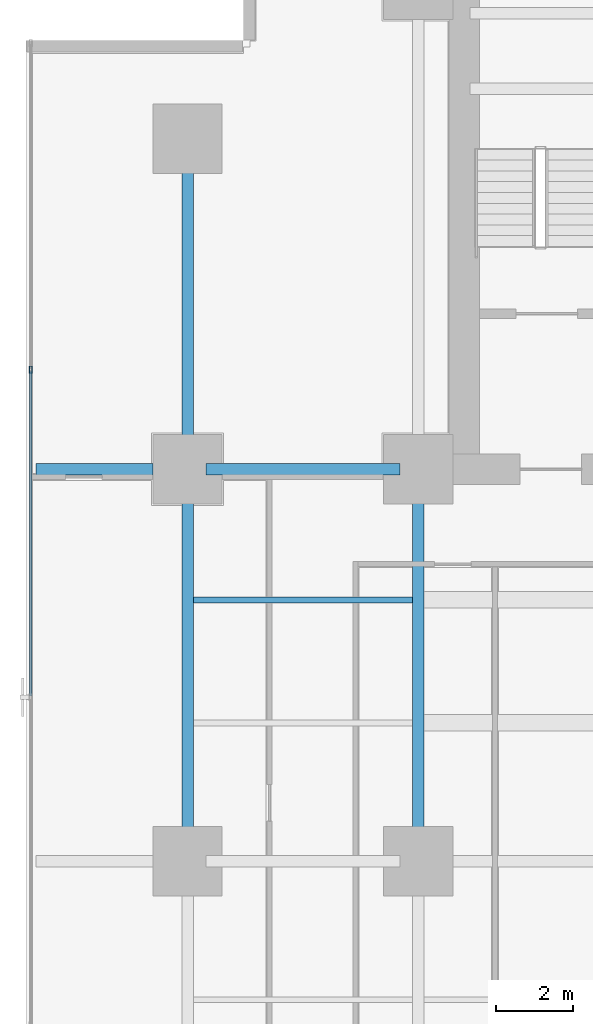
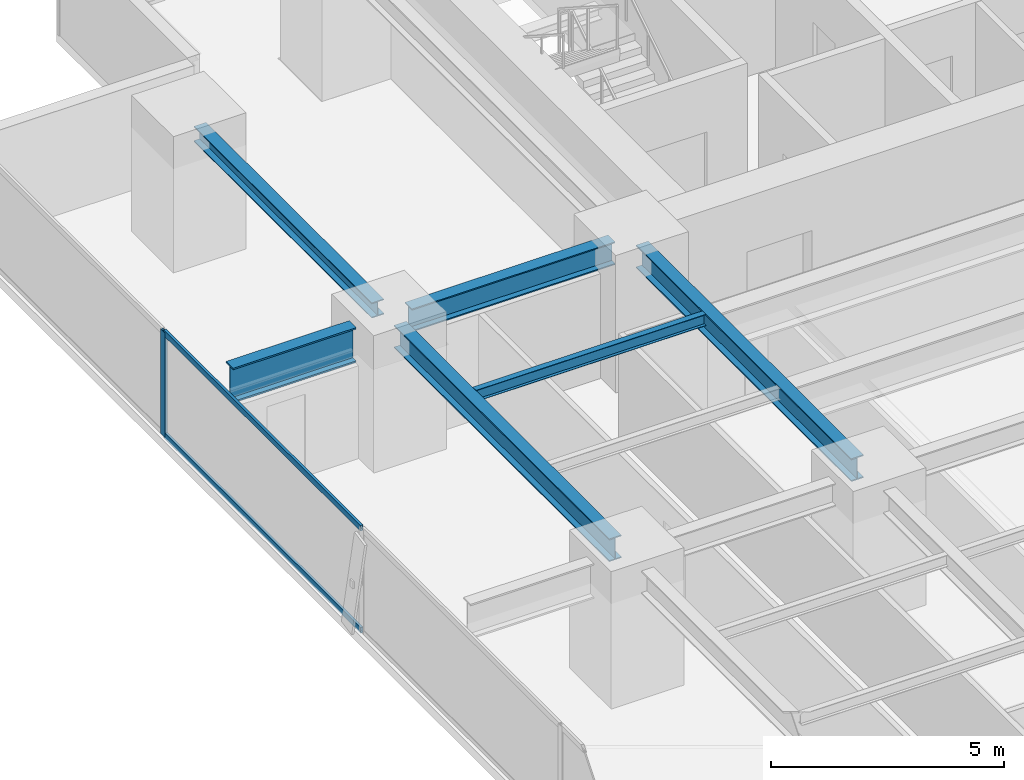
# One storey, part 16 of 34: 6 beams, 3 members, 1 element without a shape of its own.
"""IFC4 building model written with IfcOpenShell, lengths in metres."""

from ifc_helpers import new_model, si_unit, direction, frame, origin, origin_2d, place, context, subcontext, project, spatial, hollow_rectangle, i_section, extrude, source, transform, mapped, material, layer, layer_set, material_profile, profile_set, type_object, element, aggregate, save


model = new_model("IFC4")

# Units and contexts
model_context = context("Model", 3, precision=1e-05, world=origin(), true_north=direction((0.0, 1.0)))
body_context = subcontext(model_context, "Body", "Model", "MODEL_VIEW")
ifc_project = project(units=[si_unit("LENGTHUNIT", "METRE"), si_unit("AREAUNIT", "SQUARE_METRE"), si_unit("VOLUMEUNIT", "CUBIC_METRE"), si_unit("PLANEANGLEUNIT", "RADIAN"), si_unit("MASSUNIT", "GRAM", prefix="KILO")], contexts=[model_context])

# Site, building, storey
site_placement = place(None, origin())
site = spatial("IfcSite", under=ifc_project, at=site_placement, CompositionType="ELEMENT")
building_placement = place(site_placement, origin())
building = spatial("IfcBuilding", under=site, at=building_placement, Name="Sumidabori Civic Tower", CompositionType="ELEMENT")
storey_placement = place(building_placement, frame((0.0, 0.0, 34.39990234375)))
storey = spatial("IfcBuildingStorey", under=building, at=storey_placement, Name="L08", CompositionType="ELEMENT", Elevation=34.39990234375)

# Beams
ifc_material_1 = material(Name="Steel SN490", Category="steel")
ifc_material_profile_1 = material_profile(ifc_material_1, i_section(OverallWidth=0.300048828125, OverallDepth=0.60009765625, WebThickness=0.015380859375, FlangeThickness=0.030029296875, at=origin_2d()), Name="HE 600 B")
ifc_profile_set_1 = profile_set([ifc_material_profile_1], Name="Steel SN490")
beam_type_1 = type_object("IfcBeamType", Name="BM-GIRD-600", PredefinedType="BEAM", material=ifc_profile_set_1)
shared_shape_1 = source(origin(), body_context, "Body", "SweptSolid", [
    extrude(i_section(OverallWidth=0.300048828125, OverallDepth=0.60009765625, WebThickness=0.015380859375, FlangeThickness=0.030029296875, at=origin_2d()), origin(), (0.0, 0.0, 1.0), 5.0400390625),
])
beam_1_placement = place(storey_placement, frame((-22.320068359375, 10.199951171875, 3.06005859375), z_axis=(1.0, 0.0, 0.0), x_axis=(0.0, 1.0, 0.0)))
element("IfcBeam", 1, at=beam_1_placement, inside=storey, type_object=beam_type_1, Name="Primary Girder L08 GX-19", PredefinedType="BEAM", context=body_context, shape_type="MappedRepresentation", body=[
    mapped(shared_shape_1, transform((0.0, 0.0, 0.0), x_axis=(1.0, 0.0, 0.0), y_axis=(0.0, 1.0, 0.0), z_axis=(0.0, 0.0, 1.0), scale=1.0)),
])
shared_shape_2 = source(origin(), body_context, "Body", "SweptSolid", [
    extrude(i_section(OverallWidth=0.300048828125, OverallDepth=0.60009765625, WebThickness=0.015380859375, FlangeThickness=0.030029296875, at=origin_2d()), origin(), (0.0, 0.0, 1.0), 9.239990234375),
])
for number, where, z_axis, x_axis, name in (
    (2, (-22.800048828125, 0.47998046875, 3.06005859375), (0.0, 1.0, 0.0), (-1.0, 0.0, 0.0), "Primary Girder L08 GY-23"),
    (3, (-16.800048828125, 0.47998046875, 3.06005859375), (0.0, 1.0, 0.0), (-1.0, 0.0, 0.0), "Primary Girder L08 GY-27"),
):
    element("IfcBeam", number, at=place(storey_placement, frame(where, z_axis=z_axis, x_axis=x_axis)), inside=storey, type_object=beam_type_1, Name=name, PredefinedType="BEAM", context=body_context, shape_type="MappedRepresentation", body=[
        mapped(shared_shape_2, transform((0.0, 0.0, 0.0), x_axis=(1.0, 0.0, 0.0), y_axis=(0.0, 1.0, 0.0), z_axis=(0.0, 0.0, 1.0), scale=1.0)),
    ])
ifc_material_profile_2 = material_profile(ifc_material_1, i_section(OverallWidth=0.300048828125, OverallDepth=0.39990234375, WebThickness=0.013427734375, FlangeThickness=0.02392578125, at=origin_2d()), Name="HE 400 B")
ifc_profile_set_2 = profile_set([ifc_material_profile_2], Name="Steel SN490")
beam_type_2 = type_object("IfcBeamType", Name="BM-GIRD-400", PredefinedType="BEAM", material=ifc_profile_set_2)
shared_shape_3 = source(origin(), body_context, "Body", "SweptSolid", [
    extrude(i_section(OverallWidth=0.300048828125, OverallDepth=0.39990234375, WebThickness=0.013427734375, FlangeThickness=0.02392578125, at=origin_2d()), origin(), (0.0, 0.0, 1.0), 7.64013671875),
])
beam_2_placement = place(storey_placement, frame((-22.800048828125, 10.679931640625, 3.16015625), z_axis=(0.0, 1.0, 0.0), x_axis=(-1.0, 0.0, 0.0)))
element("IfcBeam", 4, at=beam_2_placement, inside=storey, type_object=beam_type_2, Name="Primary Girder L08 GY-24", PredefinedType="BEAM", context=body_context, shape_type="MappedRepresentation", body=[
    mapped(shared_shape_3, transform((0.0, 0.0, 0.0), x_axis=(1.0, 0.0, 0.0), y_axis=(0.0, 1.0, 0.0), z_axis=(0.0, 0.0, 1.0), scale=1.0)),
])
ifc_material_profile_3 = material_profile(ifc_material_1, i_section(OverallWidth=0.302001953125, OverallDepth=0.909912109375, WebThickness=0.02099609375, FlangeThickness=0.0400390625, at=origin_2d()), Name="HE 900 M")
ifc_profile_set_3 = profile_set([ifc_material_profile_3], Name="Steel SN490")
beam_type_3 = type_object("IfcBeamType", Name="BM-Z1-EDGE", PredefinedType="SPANDREL", material=ifc_profile_set_3)
shared_shape_4 = source(origin(), body_context, "Body", "SweptSolid", [
    extrude(i_section(OverallWidth=0.302001953125, OverallDepth=0.909912109375, WebThickness=0.02099609375, FlangeThickness=0.0400390625, at=origin_2d()), origin(), (0.0, 0.0, 1.0), 3.050048828125),
])
beam_3_placement = place(storey_placement, frame((-26.75, 10.199951171875, 2.905029296875), z_axis=(1.0, 0.0, 0.0), x_axis=(0.0, 1.0, 0.0)))
element("IfcBeam", 5, at=beam_3_placement, inside=storey, type_object=beam_type_3, Name="Perimeter Overhang Beam L08 W-48", PredefinedType="SPANDREL", context=body_context, shape_type="MappedRepresentation", body=[
    mapped(shared_shape_4, transform((0.0, 0.0, 0.0), x_axis=(1.0, 0.0, 0.0), y_axis=(0.0, 1.0, 0.0), z_axis=(0.0, 0.0, 1.0), scale=1.0)),
])
ifc_material_profile_4 = material_profile(ifc_material_1, i_section(OverallWidth=0.14990234375, OverallDepth=0.300048828125, WebThickness=0.007080078125, FlangeThickness=0.0107421875, at=origin_2d()), Name="IPE 300")
ifc_profile_set_4 = profile_set([ifc_material_profile_4], Name="Steel SN490")
beam_type_4 = type_object("IfcBeamType", Name="BM-JST-300", PredefinedType="JOIST", material=ifc_profile_set_4)
shared_shape_5 = source(origin(), body_context, "Body", "SweptSolid", [
    extrude(i_section(OverallWidth=0.14990234375, OverallDepth=0.300048828125, WebThickness=0.007080078125, FlangeThickness=0.0107421875, at=origin_2d()), origin(), (0.0, 0.0, 1.0), 5.699951171875),
])
beam_4_placement = place(storey_placement, frame((-22.64990234375, 6.800048828125, 3.210205078125), z_axis=(1.0, 0.0, 0.0), x_axis=(0.0, 1.0, 0.0)))
element("IfcBeam", 6, at=beam_4_placement, inside=storey, type_object=beam_type_4, Name="Outer Bay Floor Joist L08 JSTO-55", PredefinedType="JOIST", context=body_context, shape_type="MappedRepresentation", body=[
    mapped(shared_shape_5, transform((0.0, 0.0, 0.0), x_axis=(1.0, 0.0, 0.0), y_axis=(0.0, 1.0, 0.0), z_axis=(0.0, 0.0, 1.0), scale=1.0)),
])

# Curtain wall, members
ifc_material_2 = material(Name="Anodised Bronze Aluminium AW-6063-T6", Category="aluminium")
ifc_layer = layer(ifc_material_2, 0.179931640625, Name="Anodised Bronze Aluminium AW-6063-T6")
ifc_layer_set = layer_set([ifc_layer], Name="Anodised Bronze Aluminium AW-6063-T6")
curtain_wall_type = type_object("IfcCurtainWallType", Name="CW-SYS-2", PredefinedType="NOTDEFINED", material=ifc_layer_set)
curtain_wall_placement = place(storey_placement, origin())
curtain_wall = element("IfcCurtainWall", 7, at=curtain_wall_placement, inside=storey, type_object=curtain_wall_type, Name="Curtain Wall CW:L08:R10", PredefinedType="NOTDEFINED")
ifc_material_profile_5 = material_profile(ifc_material_2, hollow_rectangle(XDim=0.070068359375, YDim=0.179931640625, WallThickness=0.006103515625, at=origin_2d()), Name="ALU MULLION 180x70")
ifc_profile_set_5 = profile_set([ifc_material_profile_5], Name="Anodised Bronze Aluminium AW-6063-T6")
member_type_1 = type_object("IfcMemberType", Name="CW-MUL-180", PredefinedType="MULLION", material=ifc_profile_set_5)
shared_shape_6 = source(origin(), body_context, "Body", "SweptSolid", [
    extrude(hollow_rectangle(XDim=0.070068359375, YDim=0.179931640625, WallThickness=0.006103515625, at=origin_2d()), origin(), (0.0, 0.0, 1.0), 2.739990234375),
])
member_1_placement = place(storey_placement, frame((-26.8798828125, 12.7919921875, 0.0), z_axis=(0.0, 0.0, 1.0), x_axis=(1.0, 0.0, 0.0)))
member_1 = element("IfcMember", 8, at=member_1_placement, type_object=member_type_1, Name="CW-2 mullion 2", PredefinedType="MULLION", context=body_context, shape_type="MappedRepresentation", body=[
    mapped(shared_shape_6, transform((0.0, 0.0, 0.0), x_axis=(1.0, 0.0, 0.0), y_axis=(0.0, 1.0, 0.0), z_axis=(0.0, 0.0, 1.0), scale=1.0)),
])
ifc_material_profile_6 = material_profile(ifc_material_2, hollow_rectangle(XDim=0.06494140625, YDim=0.14990234375, WallThickness=0.0048828125, at=origin_2d()), Name="ALU TRANSOM 150x65")
ifc_profile_set_6 = profile_set([ifc_material_profile_6], Name="Anodised Bronze Aluminium AW-6063-T6")
member_type_2 = type_object("IfcMemberType", Name="CW-TRN-150", PredefinedType="USERDEFINED", material=ifc_profile_set_6)
shared_shape_7 = source(origin(), body_context, "Body", "SweptSolid", [
    extrude(hollow_rectangle(XDim=0.06494140625, YDim=0.14990234375, WallThickness=0.0048828125, at=origin_2d()), origin(), (0.0, 0.0, 1.0), 8.4580078125),
])
member_2_placement = place(storey_placement, frame((-26.8798828125, 12.757080078125, 0.03271484375), z_axis=(0.0, -1.0, 0.0), x_axis=(1.0, 0.0, 0.0)))
member_2 = element("IfcMember", 9, at=member_2_placement, type_object=member_type_2, Name="CW-2 transom 2.1", ObjectType="TRANSOM", PredefinedType="USERDEFINED", context=body_context, shape_type="MappedRepresentation", body=[
    mapped(shared_shape_7, transform((0.0, 0.0, 0.0), x_axis=(1.0, 0.0, 0.0), y_axis=(0.0, 1.0, 0.0), z_axis=(0.0, 0.0, 1.0), scale=1.0)),
])
member_3_placement = place(storey_placement, frame((-26.8798828125, 12.757080078125, 2.70751953125), z_axis=(0.0, -1.0, 0.0), x_axis=(1.0, 0.0, 0.0)))
member_3 = element("IfcMember", 10, at=member_3_placement, type_object=member_type_2, Name="CW-2 transom 2.2", ObjectType="TRANSOM", PredefinedType="USERDEFINED", context=body_context, shape_type="MappedRepresentation", body=[
    mapped(shared_shape_7, transform((0.0, 0.0, 0.0), x_axis=(1.0, 0.0, 0.0), y_axis=(0.0, 1.0, 0.0), z_axis=(0.0, 0.0, 1.0), scale=1.0)),
])
aggregate(curtain_wall, [member_1, member_2, member_3])

save(model, "model.ifc")
